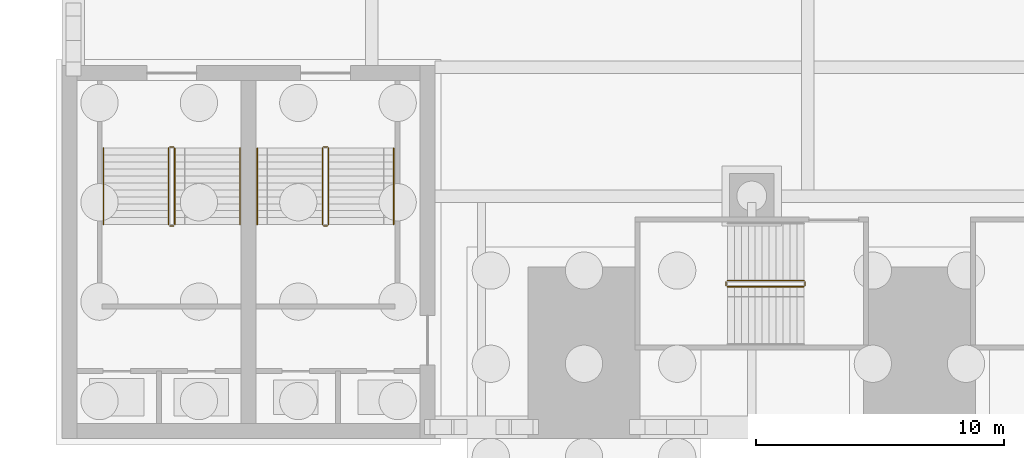
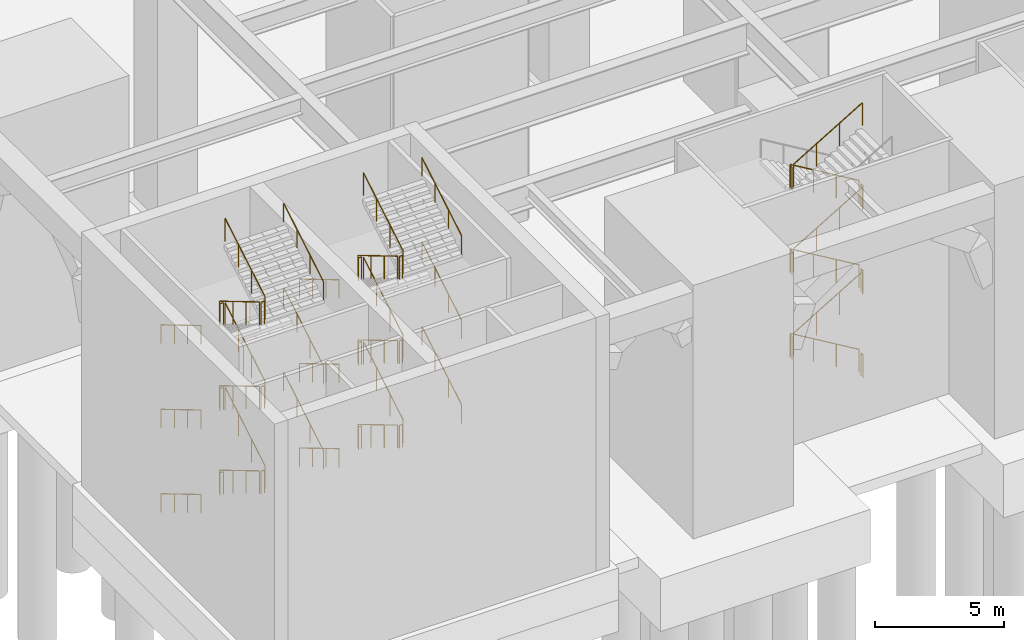
# One storey, part 27 of 34: 5 railings.
"""IFC4 building model written with IfcOpenShell, lengths in metres."""

from ifc_helpers import new_model, si_unit, direction, frame, origin, origin_2d, place, context, subcontext, project, spatial, circle, extrude, material, type_object, element, save


model = new_model("IFC4")

# Units and contexts
model_context = context("Model", 3, precision=1e-05, world=origin(), true_north=direction((0.0, 1.0)))
body_context = subcontext(model_context, "Body", "Model", "MODEL_VIEW")
ifc_project = project(units=[si_unit("LENGTHUNIT", "METRE"), si_unit("AREAUNIT", "SQUARE_METRE"), si_unit("VOLUMEUNIT", "CUBIC_METRE"), si_unit("PLANEANGLEUNIT", "RADIAN"), si_unit("MASSUNIT", "GRAM", prefix="KILO")], contexts=[model_context])

# Site, building, storey
site_placement = place(None, origin())
site = spatial("IfcSite", under=ifc_project, at=site_placement, CompositionType="ELEMENT")
building_placement = place(site_placement, origin())
building = spatial("IfcBuilding", under=site, at=building_placement, Name="Corbelhall Arena Tower", CompositionType="ELEMENT")
storey_placement = place(building_placement, origin())
storey = spatial("IfcBuildingStorey", under=building, at=storey_placement, Name="L00", CompositionType="ELEMENT", Elevation=0.0)

# Railings
ifc_material = material(Name="Stainless steel A4", Category="steel")
railing_type_1 = type_object("IfcRailingType", Name="AR-STAIR-GUARD", PredefinedType="GUARDRAIL", material=ifc_material)
railing_1_placement = place(storey_placement, frame((-18.14990234375, -32.64990234375, 0.166748046875)))
element("IfcRailing", 1, at=railing_1_placement, inside=storey, type_object=railing_type_1, Name="L00 AS13 stair guards", PredefinedType="GUARDRAIL", context=body_context, shape_type="SweptSolid", body=[
    extrude(circle(Radius=0.02392578125, at=origin_2d()), frame((0.0, 0.0, 1.076171875), z_axis=(-0.859308565015, 0.0, 0.511457515432), x_axis=(0.0, -1.0, 0.0)), (0.0, 0.0, 1.0), 3.58447265625),
    extrude(circle(Radius=0.02392578125, at=origin_2d()), frame((-3.130126953125, -0.050048828125, 2.9091796875), z_axis=(0.0, -1.0, 0.0), x_axis=(1.0, 0.0, 0.0)), (0.0, 0.0, 1.0), 0.150146484375),
    extrude(circle(Radius=0.02392578125, at=origin_2d()), frame((-3.080078125, -0.25, 3.076171875), z_axis=(0.859308565015, 0.0, 0.511457515432), x_axis=(0.0, 1.0, 0.0)), (0.0, 0.0, 1.0), 3.58447265625),
    extrude(circle(Radius=0.02392578125, at=origin_2d()), frame((0.0498046875, -0.050048828125, 4.9091796875), z_axis=(0.0, -1.0, 0.0), x_axis=(1.0, 0.0, 0.0)), (0.0, 0.0, 1.0), 0.150146484375),
    extrude(circle(Radius=0.02392578125, at=origin_2d()), frame((0.0, 0.0, 5.076171875), z_axis=(-0.859308565015, 0.0, 0.511457515432), x_axis=(0.0, -1.0, 0.0)), (0.0, 0.0, 1.0), 3.58447265625),
    extrude(circle(Radius=0.02392578125, at=origin_2d()), frame((-3.130126953125, -0.050048828125, 6.9091796875), z_axis=(0.0, -1.0, 0.0), x_axis=(1.0, 0.0, 0.0)), (0.0, 0.0, 1.0), 0.150146484375),
    extrude(circle(Radius=0.02392578125, at=origin_2d()), frame((-3.080078125, -0.25, 7.076171875), z_axis=(0.859308565015, 0.0, 0.511457515432), x_axis=(0.0, 1.0, 0.0)), (0.0, 0.0, 1.0), 3.58447265625),
    extrude(circle(Radius=0.02392578125, at=origin_2d()), frame((0.0498046875, -0.050048828125, 8.9091796875), z_axis=(0.0, -1.0, 0.0), x_axis=(1.0, 0.0, 0.0)), (0.0, 0.0, 1.0), 0.150146484375),
    extrude(circle(Radius=0.02392578125, at=origin_2d()), frame((0.0, 0.0, 9.076171875), z_axis=(-0.859308565015, 0.0, 0.511457515432), x_axis=(0.0, -1.0, 0.0)), (0.0, 0.0, 1.0), 3.58447265625),
    extrude(circle(Radius=0.02392578125, at=origin_2d()), frame((-3.130126953125, -0.050048828125, 10.9091796875), z_axis=(0.0, -1.0, 0.0), x_axis=(1.0, 0.0, 0.0)), (0.0, 0.0, 1.0), 0.150146484375),
    extrude(circle(Radius=0.02392578125, at=origin_2d()), frame((-3.080078125, -0.25, 11.076171875), z_axis=(0.859308565015, 0.0, 0.511457515432), x_axis=(0.0, 1.0, 0.0)), (0.0, 0.0, 1.0), 3.58447265625),
    extrude(circle(Radius=0.02392578125, at=origin_2d()), frame((0.0498046875, -0.050048828125, 0.9091796875), z_axis=(0.0, -1.0, 0.0), x_axis=(1.0, 0.0, 0.0)), (0.0, 0.0, 1.0), 0.150146484375),
    extrude(circle(Radius=0.02099609375, at=origin_2d()), origin(), (0.0, 0.0, 1.0), 1.052001953125),
    extrude(circle(Radius=0.02099609375, at=origin_2d()), frame((-1.026611328125, 0.0, 0.611083984375)), (0.0, 0.0, 1.0), 1.052001953125),
    extrude(circle(Radius=0.02099609375, at=origin_2d()), frame((-2.053466796875, 0.0, 1.22216796875)), (0.0, 0.0, 1.0), 1.052001953125),
    extrude(circle(Radius=0.02099609375, at=origin_2d()), frame((-3.080078125, 0.0, 1.833251953125)), (0.0, 0.0, 1.0), 1.052001953125),
    extrude(circle(Radius=0.02099609375, at=origin_2d()), frame((-3.130126953125, -0.050048828125, 1.833251953125)), (0.0, 0.0, 1.0), 1.052001953125),
    extrude(circle(Radius=0.02099609375, at=origin_2d()), frame((-3.130126953125, -0.2001953125, 1.833251953125)), (0.0, 0.0, 1.0), 1.052001953125),
    extrude(circle(Radius=0.02099609375, at=origin_2d()), frame((-3.080078125, -0.25, 2.0)), (0.0, 0.0, 1.0), 1.052001953125),
    extrude(circle(Radius=0.02099609375, at=origin_2d()), frame((-2.053466796875, -0.25, 2.611083984375)), (0.0, 0.0, 1.0), 1.052001953125),
    extrude(circle(Radius=0.02099609375, at=origin_2d()), frame((-1.026611328125, -0.25, 3.22216796875)), (0.0, 0.0, 1.0), 1.052001953125),
    extrude(circle(Radius=0.02099609375, at=origin_2d()), frame((0.0, -0.25, 3.833251953125)), (0.0, 0.0, 1.0), 1.052001953125),
    extrude(circle(Radius=0.02099609375, at=origin_2d()), frame((0.0498046875, -0.050048828125, 3.833251953125)), (0.0, 0.0, 1.0), 1.052001953125),
    extrude(circle(Radius=0.02099609375, at=origin_2d()), frame((0.0498046875, -0.2001953125, 3.833251953125)), (0.0, 0.0, 1.0), 1.052001953125),
    extrude(circle(Radius=0.02099609375, at=origin_2d()), frame((0.0, 0.0, 4.0)), (0.0, 0.0, 1.0), 1.052001953125),
    extrude(circle(Radius=0.02099609375, at=origin_2d()), frame((-1.026611328125, 0.0, 4.611083984375)), (0.0, 0.0, 1.0), 1.052001953125),
    extrude(circle(Radius=0.02099609375, at=origin_2d()), frame((-2.053466796875, 0.0, 5.22216796875)), (0.0, 0.0, 1.0), 1.052001953125),
    extrude(circle(Radius=0.02099609375, at=origin_2d()), frame((-3.080078125, 0.0, 5.833251953125)), (0.0, 0.0, 1.0), 1.052001953125),
    extrude(circle(Radius=0.02099609375, at=origin_2d()), frame((-3.130126953125, -0.050048828125, 5.833251953125)), (0.0, 0.0, 1.0), 1.052001953125),
    extrude(circle(Radius=0.02099609375, at=origin_2d()), frame((-3.130126953125, -0.2001953125, 5.833251953125)), (0.0, 0.0, 1.0), 1.052001953125),
    extrude(circle(Radius=0.02099609375, at=origin_2d()), frame((-3.080078125, -0.25, 6.0)), (0.0, 0.0, 1.0), 1.052001953125),
    extrude(circle(Radius=0.02099609375, at=origin_2d()), frame((-2.053466796875, -0.25, 6.611083984375)), (0.0, 0.0, 1.0), 1.052001953125),
    extrude(circle(Radius=0.02099609375, at=origin_2d()), frame((-1.026611328125, -0.25, 7.22216796875)), (0.0, 0.0, 1.0), 1.052001953125),
    extrude(circle(Radius=0.02099609375, at=origin_2d()), frame((0.0, -0.25, 7.833251953125)), (0.0, 0.0, 1.0), 1.052001953125),
    extrude(circle(Radius=0.02099609375, at=origin_2d()), frame((0.0498046875, -0.050048828125, 7.833251953125)), (0.0, 0.0, 1.0), 1.052001953125),
    extrude(circle(Radius=0.02099609375, at=origin_2d()), frame((0.0498046875, -0.2001953125, 7.833251953125)), (0.0, 0.0, 1.0), 1.052001953125),
    extrude(circle(Radius=0.02099609375, at=origin_2d()), frame((0.0, 0.0, 8.0)), (0.0, 0.0, 1.0), 1.052001953125),
    extrude(circle(Radius=0.02099609375, at=origin_2d()), frame((-1.026611328125, 0.0, 8.611083984375)), (0.0, 0.0, 1.0), 1.052001953125),
    extrude(circle(Radius=0.02099609375, at=origin_2d()), frame((-2.053466796875, 0.0, 9.22216796875)), (0.0, 0.0, 1.0), 1.052001953125),
    extrude(circle(Radius=0.02099609375, at=origin_2d()), frame((-3.080078125, 0.0, 9.833251953125)), (0.0, 0.0, 1.0), 1.052001953125),
    extrude(circle(Radius=0.02099609375, at=origin_2d()), frame((-3.130126953125, -0.050048828125, 9.833251953125)), (0.0, 0.0, 1.0), 1.052001953125),
    extrude(circle(Radius=0.02099609375, at=origin_2d()), frame((-3.130126953125, -0.2001953125, 9.833251953125)), (0.0, 0.0, 1.0), 1.052001953125),
    extrude(circle(Radius=0.02099609375, at=origin_2d()), frame((-3.080078125, -0.25, 10.0)), (0.0, 0.0, 1.0), 1.052001953125),
    extrude(circle(Radius=0.02099609375, at=origin_2d()), frame((-2.053466796875, -0.25, 10.611083984375)), (0.0, 0.0, 1.0), 1.052001953125),
    extrude(circle(Radius=0.02099609375, at=origin_2d()), frame((-1.026611328125, -0.25, 11.22216796875)), (0.0, 0.0, 1.0), 1.052001953125),
    extrude(circle(Radius=0.02099609375, at=origin_2d()), frame((0.0, -0.25, 11.833251953125)), (0.0, 0.0, 1.0), 1.052001953125),
    extrude(circle(Radius=0.02099609375, at=origin_2d()), frame((0.0498046875, -0.050048828125, -0.166748046875)), (0.0, 0.0, 1.0), 1.052001953125),
    extrude(circle(Radius=0.02099609375, at=origin_2d()), frame((0.0498046875, -0.2001953125, -0.166748046875)), (0.0, 0.0, 1.0), 1.052001953125),
])
railing_2_placement = place(storey_placement, frame((-37.530029296875, -27.320068359375, 0.166748046875)))
element("IfcRailing", 2, at=railing_2_placement, inside=storey, type_object=railing_type_1, Name="L00 AS7 stair guards", PredefinedType="GUARDRAIL", context=body_context, shape_type="SweptSolid", body=[
    extrude(circle(Radius=0.02392578125, at=origin_2d()), frame((0.0, 0.0, 1.076171875), z_axis=(0.0, -0.859290745958, 0.51148745235), x_axis=(1.0, 0.0, 0.0)), (0.0, 0.0, 1.0), 3.584228515625),
    extrude(circle(Radius=0.02392578125, at=origin_2d()), frame((0.050048828125, -3.1298828125, 2.9091796875), z_axis=(1.0, 0.0, 0.0), x_axis=(0.0, 1.0, 0.0)), (0.0, 0.0, 1.0), 0.14990234375),
    extrude(circle(Radius=0.02392578125, at=origin_2d()), frame((0.25, -3.079833984375, 3.076171875), z_axis=(0.0, 0.859290745958, 0.51148745235), x_axis=(-1.0, 0.0, 0.0)), (0.0, 0.0, 1.0), 3.584228515625),
    extrude(circle(Radius=0.02392578125, at=origin_2d()), frame((0.050048828125, 0.050048828125, 4.9091796875), z_axis=(1.0, 0.0, 0.0), x_axis=(0.0, 1.0, 0.0)), (0.0, 0.0, 1.0), 0.14990234375),
    extrude(circle(Radius=0.02392578125, at=origin_2d()), frame((0.0, 0.0, 5.076171875), z_axis=(0.0, -0.859290745958, 0.51148745235), x_axis=(1.0, 0.0, 0.0)), (0.0, 0.0, 1.0), 3.584228515625),
    extrude(circle(Radius=0.02392578125, at=origin_2d()), frame((0.050048828125, -3.1298828125, 6.9091796875), z_axis=(1.0, 0.0, 0.0), x_axis=(0.0, 1.0, 0.0)), (0.0, 0.0, 1.0), 0.14990234375),
    extrude(circle(Radius=0.02392578125, at=origin_2d()), frame((0.25, -3.079833984375, 7.076171875), z_axis=(0.0, 0.859290745958, 0.51148745235), x_axis=(-1.0, 0.0, 0.0)), (0.0, 0.0, 1.0), 3.584228515625),
    extrude(circle(Radius=0.02392578125, at=origin_2d()), frame((0.050048828125, 0.050048828125, 8.9091796875), z_axis=(1.0, 0.0, 0.0), x_axis=(0.0, 1.0, 0.0)), (0.0, 0.0, 1.0), 0.14990234375),
    extrude(circle(Radius=0.02392578125, at=origin_2d()), frame((0.0, 0.0, 9.076171875), z_axis=(0.0, -0.859290745958, 0.51148745235), x_axis=(1.0, 0.0, 0.0)), (0.0, 0.0, 1.0), 3.584228515625),
    extrude(circle(Radius=0.02392578125, at=origin_2d()), frame((0.050048828125, -3.1298828125, 10.9091796875), z_axis=(1.0, 0.0, 0.0), x_axis=(0.0, 1.0, 0.0)), (0.0, 0.0, 1.0), 0.14990234375),
    extrude(circle(Radius=0.02392578125, at=origin_2d()), frame((0.25, -3.079833984375, 11.076171875), z_axis=(0.0, 0.859290745958, 0.51148745235), x_axis=(-1.0, 0.0, 0.0)), (0.0, 0.0, 1.0), 3.584228515625),
    extrude(circle(Radius=0.02392578125, at=origin_2d()), frame((0.050048828125, 0.050048828125, 0.9091796875), z_axis=(1.0, 0.0, 0.0), x_axis=(0.0, 1.0, 0.0)), (0.0, 0.0, 1.0), 0.14990234375),
    extrude(circle(Radius=0.02099609375, at=origin_2d()), origin(), (0.0, 0.0, 1.0), 1.052001953125),
    extrude(circle(Radius=0.02099609375, at=origin_2d()), frame((0.0, -1.026611328125, 0.611083984375)), (0.0, 0.0, 1.0), 1.052001953125),
    extrude(circle(Radius=0.02099609375, at=origin_2d()), frame((0.0, -2.05322265625, 1.22216796875)), (0.0, 0.0, 1.0), 1.052001953125),
    extrude(circle(Radius=0.02099609375, at=origin_2d()), frame((0.0, -3.079833984375, 1.833251953125)), (0.0, 0.0, 1.0), 1.052001953125),
    extrude(circle(Radius=0.02099609375, at=origin_2d()), frame((0.050048828125, -3.1298828125, 1.833251953125)), (0.0, 0.0, 1.0), 1.052001953125),
    extrude(circle(Radius=0.02099609375, at=origin_2d()), frame((0.199951171875, -3.1298828125, 1.833251953125)), (0.0, 0.0, 1.0), 1.052001953125),
    extrude(circle(Radius=0.02099609375, at=origin_2d()), frame((0.25, -3.079833984375, 2.0)), (0.0, 0.0, 1.0), 1.052001953125),
    extrude(circle(Radius=0.02099609375, at=origin_2d()), frame((0.25, -2.05322265625, 2.611083984375)), (0.0, 0.0, 1.0), 1.052001953125),
    extrude(circle(Radius=0.02099609375, at=origin_2d()), frame((0.25, -1.026611328125, 3.22216796875)), (0.0, 0.0, 1.0), 1.052001953125),
    extrude(circle(Radius=0.02099609375, at=origin_2d()), frame((0.25, 0.0, 3.833251953125)), (0.0, 0.0, 1.0), 1.052001953125),
    extrude(circle(Radius=0.02099609375, at=origin_2d()), frame((0.050048828125, 0.050048828125, 3.833251953125)), (0.0, 0.0, 1.0), 1.052001953125),
    extrude(circle(Radius=0.02099609375, at=origin_2d()), frame((0.199951171875, 0.050048828125, 3.833251953125)), (0.0, 0.0, 1.0), 1.052001953125),
    extrude(circle(Radius=0.02099609375, at=origin_2d()), frame((0.0, 0.0, 4.0)), (0.0, 0.0, 1.0), 1.052001953125),
    extrude(circle(Radius=0.02099609375, at=origin_2d()), frame((0.0, -1.026611328125, 4.611083984375)), (0.0, 0.0, 1.0), 1.052001953125),
    extrude(circle(Radius=0.02099609375, at=origin_2d()), frame((0.0, -2.05322265625, 5.22216796875)), (0.0, 0.0, 1.0), 1.052001953125),
    extrude(circle(Radius=0.02099609375, at=origin_2d()), frame((0.0, -3.079833984375, 5.833251953125)), (0.0, 0.0, 1.0), 1.052001953125),
    extrude(circle(Radius=0.02099609375, at=origin_2d()), frame((0.050048828125, -3.1298828125, 5.833251953125)), (0.0, 0.0, 1.0), 1.052001953125),
    extrude(circle(Radius=0.02099609375, at=origin_2d()), frame((0.199951171875, -3.1298828125, 5.833251953125)), (0.0, 0.0, 1.0), 1.052001953125),
    extrude(circle(Radius=0.02099609375, at=origin_2d()), frame((0.25, -3.079833984375, 6.0)), (0.0, 0.0, 1.0), 1.052001953125),
    extrude(circle(Radius=0.02099609375, at=origin_2d()), frame((0.25, -2.05322265625, 6.611083984375)), (0.0, 0.0, 1.0), 1.052001953125),
    extrude(circle(Radius=0.02099609375, at=origin_2d()), frame((0.25, -1.026611328125, 7.22216796875)), (0.0, 0.0, 1.0), 1.052001953125),
    extrude(circle(Radius=0.02099609375, at=origin_2d()), frame((0.25, 0.0, 7.833251953125)), (0.0, 0.0, 1.0), 1.052001953125),
    extrude(circle(Radius=0.02099609375, at=origin_2d()), frame((0.050048828125, 0.050048828125, 7.833251953125)), (0.0, 0.0, 1.0), 1.052001953125),
    extrude(circle(Radius=0.02099609375, at=origin_2d()), frame((0.199951171875, 0.050048828125, 7.833251953125)), (0.0, 0.0, 1.0), 1.052001953125),
    extrude(circle(Radius=0.02099609375, at=origin_2d()), frame((0.0, 0.0, 8.0)), (0.0, 0.0, 1.0), 1.052001953125),
    extrude(circle(Radius=0.02099609375, at=origin_2d()), frame((0.0, -1.026611328125, 8.611083984375)), (0.0, 0.0, 1.0), 1.052001953125),
    extrude(circle(Radius=0.02099609375, at=origin_2d()), frame((0.0, -2.05322265625, 9.22216796875)), (0.0, 0.0, 1.0), 1.052001953125),
    extrude(circle(Radius=0.02099609375, at=origin_2d()), frame((0.0, -3.079833984375, 9.833251953125)), (0.0, 0.0, 1.0), 1.052001953125),
    extrude(circle(Radius=0.02099609375, at=origin_2d()), frame((0.050048828125, -3.1298828125, 9.833251953125)), (0.0, 0.0, 1.0), 1.052001953125),
    extrude(circle(Radius=0.02099609375, at=origin_2d()), frame((0.199951171875, -3.1298828125, 9.833251953125)), (0.0, 0.0, 1.0), 1.052001953125),
    extrude(circle(Radius=0.02099609375, at=origin_2d()), frame((0.25, -3.079833984375, 10.0)), (0.0, 0.0, 1.0), 1.052001953125),
    extrude(circle(Radius=0.02099609375, at=origin_2d()), frame((0.25, -2.05322265625, 10.611083984375)), (0.0, 0.0, 1.0), 1.052001953125),
    extrude(circle(Radius=0.02099609375, at=origin_2d()), frame((0.25, -1.026611328125, 11.22216796875)), (0.0, 0.0, 1.0), 1.052001953125),
    extrude(circle(Radius=0.02099609375, at=origin_2d()), frame((0.25, 0.0, 11.833251953125)), (0.0, 0.0, 1.0), 1.052001953125),
    extrude(circle(Radius=0.02099609375, at=origin_2d()), frame((0.050048828125, 0.050048828125, -0.166748046875)), (0.0, 0.0, 1.0), 1.052001953125),
    extrude(circle(Radius=0.02099609375, at=origin_2d()), frame((0.199951171875, 0.050048828125, -0.166748046875)), (0.0, 0.0, 1.0), 1.052001953125),
])
railing_3_placement = place(storey_placement, frame((-43.719970703125, -27.320068359375, 0.166748046875)))
element("IfcRailing", 3, at=railing_3_placement, inside=storey, type_object=railing_type_1, Name="L00 AS8 stair guards", PredefinedType="GUARDRAIL", context=body_context, shape_type="SweptSolid", body=[
    extrude(circle(Radius=0.02392578125, at=origin_2d()), frame((0.0, 0.0, 1.076171875), z_axis=(0.0, -0.859290745958, 0.51148745235), x_axis=(1.0, 0.0, 0.0)), (0.0, 0.0, 1.0), 3.584228515625),
    extrude(circle(Radius=0.02392578125, at=origin_2d()), frame((0.050048828125, -3.1298828125, 2.9091796875), z_axis=(1.0, 0.0, 0.0), x_axis=(0.0, 1.0, 0.0)), (0.0, 0.0, 1.0), 0.14990234375),
    extrude(circle(Radius=0.02392578125, at=origin_2d()), frame((0.25, -3.079833984375, 3.076171875), z_axis=(0.0, 0.859290745958, 0.51148745235), x_axis=(-1.0, 0.0, 0.0)), (0.0, 0.0, 1.0), 3.584228515625),
    extrude(circle(Radius=0.02392578125, at=origin_2d()), frame((0.050048828125, 0.050048828125, 4.9091796875), z_axis=(1.0, 0.0, 0.0), x_axis=(0.0, 1.0, 0.0)), (0.0, 0.0, 1.0), 0.14990234375),
    extrude(circle(Radius=0.02392578125, at=origin_2d()), frame((0.0, 0.0, 5.076171875), z_axis=(0.0, -0.859290745958, 0.51148745235), x_axis=(1.0, 0.0, 0.0)), (0.0, 0.0, 1.0), 3.584228515625),
    extrude(circle(Radius=0.02392578125, at=origin_2d()), frame((0.050048828125, -3.1298828125, 6.9091796875), z_axis=(1.0, 0.0, 0.0), x_axis=(0.0, 1.0, 0.0)), (0.0, 0.0, 1.0), 0.14990234375),
    extrude(circle(Radius=0.02392578125, at=origin_2d()), frame((0.25, -3.079833984375, 7.076171875), z_axis=(0.0, 0.859290745958, 0.51148745235), x_axis=(-1.0, 0.0, 0.0)), (0.0, 0.0, 1.0), 3.584228515625),
    extrude(circle(Radius=0.02392578125, at=origin_2d()), frame((0.050048828125, 0.050048828125, 8.9091796875), z_axis=(1.0, 0.0, 0.0), x_axis=(0.0, 1.0, 0.0)), (0.0, 0.0, 1.0), 0.14990234375),
    extrude(circle(Radius=0.02392578125, at=origin_2d()), frame((0.0, 0.0, 9.076171875), z_axis=(0.0, -0.859290745958, 0.51148745235), x_axis=(1.0, 0.0, 0.0)), (0.0, 0.0, 1.0), 3.584228515625),
    extrude(circle(Radius=0.02392578125, at=origin_2d()), frame((0.050048828125, -3.1298828125, 10.9091796875), z_axis=(1.0, 0.0, 0.0), x_axis=(0.0, 1.0, 0.0)), (0.0, 0.0, 1.0), 0.14990234375),
    extrude(circle(Radius=0.02392578125, at=origin_2d()), frame((0.25, -3.079833984375, 11.076171875), z_axis=(0.0, 0.859290745958, 0.51148745235), x_axis=(-1.0, 0.0, 0.0)), (0.0, 0.0, 1.0), 3.584228515625),
    extrude(circle(Radius=0.02392578125, at=origin_2d()), frame((0.050048828125, 0.050048828125, 0.9091796875), z_axis=(1.0, 0.0, 0.0), x_axis=(0.0, 1.0, 0.0)), (0.0, 0.0, 1.0), 0.14990234375),
    extrude(circle(Radius=0.02099609375, at=origin_2d()), origin(), (0.0, 0.0, 1.0), 1.052001953125),
    extrude(circle(Radius=0.02099609375, at=origin_2d()), frame((0.0, -1.026611328125, 0.611083984375)), (0.0, 0.0, 1.0), 1.052001953125),
    extrude(circle(Radius=0.02099609375, at=origin_2d()), frame((0.0, -2.05322265625, 1.22216796875)), (0.0, 0.0, 1.0), 1.052001953125),
    extrude(circle(Radius=0.02099609375, at=origin_2d()), frame((0.0, -3.079833984375, 1.833251953125)), (0.0, 0.0, 1.0), 1.052001953125),
    extrude(circle(Radius=0.02099609375, at=origin_2d()), frame((0.050048828125, -3.1298828125, 1.833251953125)), (0.0, 0.0, 1.0), 1.052001953125),
    extrude(circle(Radius=0.02099609375, at=origin_2d()), frame((0.199951171875, -3.1298828125, 1.833251953125)), (0.0, 0.0, 1.0), 1.052001953125),
    extrude(circle(Radius=0.02099609375, at=origin_2d()), frame((0.25, -3.079833984375, 2.0)), (0.0, 0.0, 1.0), 1.052001953125),
    extrude(circle(Radius=0.02099609375, at=origin_2d()), frame((0.25, -2.05322265625, 2.611083984375)), (0.0, 0.0, 1.0), 1.052001953125),
    extrude(circle(Radius=0.02099609375, at=origin_2d()), frame((0.25, -1.026611328125, 3.22216796875)), (0.0, 0.0, 1.0), 1.052001953125),
    extrude(circle(Radius=0.02099609375, at=origin_2d()), frame((0.25, 0.0, 3.833251953125)), (0.0, 0.0, 1.0), 1.052001953125),
    extrude(circle(Radius=0.02099609375, at=origin_2d()), frame((0.050048828125, 0.050048828125, 3.833251953125)), (0.0, 0.0, 1.0), 1.052001953125),
    extrude(circle(Radius=0.02099609375, at=origin_2d()), frame((0.199951171875, 0.050048828125, 3.833251953125)), (0.0, 0.0, 1.0), 1.052001953125),
    extrude(circle(Radius=0.02099609375, at=origin_2d()), frame((0.0, 0.0, 4.0)), (0.0, 0.0, 1.0), 1.052001953125),
    extrude(circle(Radius=0.02099609375, at=origin_2d()), frame((0.0, -1.026611328125, 4.611083984375)), (0.0, 0.0, 1.0), 1.052001953125),
    extrude(circle(Radius=0.02099609375, at=origin_2d()), frame((0.0, -2.05322265625, 5.22216796875)), (0.0, 0.0, 1.0), 1.052001953125),
    extrude(circle(Radius=0.02099609375, at=origin_2d()), frame((0.0, -3.079833984375, 5.833251953125)), (0.0, 0.0, 1.0), 1.052001953125),
    extrude(circle(Radius=0.02099609375, at=origin_2d()), frame((0.050048828125, -3.1298828125, 5.833251953125)), (0.0, 0.0, 1.0), 1.052001953125),
    extrude(circle(Radius=0.02099609375, at=origin_2d()), frame((0.199951171875, -3.1298828125, 5.833251953125)), (0.0, 0.0, 1.0), 1.052001953125),
    extrude(circle(Radius=0.02099609375, at=origin_2d()), frame((0.25, -3.079833984375, 6.0)), (0.0, 0.0, 1.0), 1.052001953125),
    extrude(circle(Radius=0.02099609375, at=origin_2d()), frame((0.25, -2.05322265625, 6.611083984375)), (0.0, 0.0, 1.0), 1.052001953125),
    extrude(circle(Radius=0.02099609375, at=origin_2d()), frame((0.25, -1.026611328125, 7.22216796875)), (0.0, 0.0, 1.0), 1.052001953125),
    extrude(circle(Radius=0.02099609375, at=origin_2d()), frame((0.25, 0.0, 7.833251953125)), (0.0, 0.0, 1.0), 1.052001953125),
    extrude(circle(Radius=0.02099609375, at=origin_2d()), frame((0.050048828125, 0.050048828125, 7.833251953125)), (0.0, 0.0, 1.0), 1.052001953125),
    extrude(circle(Radius=0.02099609375, at=origin_2d()), frame((0.199951171875, 0.050048828125, 7.833251953125)), (0.0, 0.0, 1.0), 1.052001953125),
    extrude(circle(Radius=0.02099609375, at=origin_2d()), frame((0.0, 0.0, 8.0)), (0.0, 0.0, 1.0), 1.052001953125),
    extrude(circle(Radius=0.02099609375, at=origin_2d()), frame((0.0, -1.026611328125, 8.611083984375)), (0.0, 0.0, 1.0), 1.052001953125),
    extrude(circle(Radius=0.02099609375, at=origin_2d()), frame((0.0, -2.05322265625, 9.22216796875)), (0.0, 0.0, 1.0), 1.052001953125),
    extrude(circle(Radius=0.02099609375, at=origin_2d()), frame((0.0, -3.079833984375, 9.833251953125)), (0.0, 0.0, 1.0), 1.052001953125),
    extrude(circle(Radius=0.02099609375, at=origin_2d()), frame((0.050048828125, -3.1298828125, 9.833251953125)), (0.0, 0.0, 1.0), 1.052001953125),
    extrude(circle(Radius=0.02099609375, at=origin_2d()), frame((0.199951171875, -3.1298828125, 9.833251953125)), (0.0, 0.0, 1.0), 1.052001953125),
    extrude(circle(Radius=0.02099609375, at=origin_2d()), frame((0.25, -3.079833984375, 10.0)), (0.0, 0.0, 1.0), 1.052001953125),
    extrude(circle(Radius=0.02099609375, at=origin_2d()), frame((0.25, -2.05322265625, 10.611083984375)), (0.0, 0.0, 1.0), 1.052001953125),
    extrude(circle(Radius=0.02099609375, at=origin_2d()), frame((0.25, -1.026611328125, 11.22216796875)), (0.0, 0.0, 1.0), 1.052001953125),
    extrude(circle(Radius=0.02099609375, at=origin_2d()), frame((0.25, 0.0, 11.833251953125)), (0.0, 0.0, 1.0), 1.052001953125),
    extrude(circle(Radius=0.02099609375, at=origin_2d()), frame((0.050048828125, 0.050048828125, -0.166748046875)), (0.0, 0.0, 1.0), 1.052001953125),
    extrude(circle(Radius=0.02099609375, at=origin_2d()), frame((0.199951171875, 0.050048828125, -0.166748046875)), (0.0, 0.0, 1.0), 1.052001953125),
])
railing_type_2 = type_object("IfcRailingType", Name="AR-STAIR-HANDRAIL", PredefinedType="HANDRAIL", material=ifc_material)
railing_4_placement = place(storey_placement, frame((-40.14990234375, -27.320068359375, 0.166748046875)))
element("IfcRailing", 4, at=railing_4_placement, inside=storey, type_object=railing_type_2, Name="L00 AS7 stair handrails", PredefinedType="HANDRAIL", context=body_context, shape_type="SweptSolid", body=[
    extrude(circle(Radius=0.02392578125, at=origin_2d()), frame((0.0, 0.0, 0.8759765625), z_axis=(0.0, -0.859290745958, 0.51148745235), x_axis=(1.0, 0.0, 0.0)), (0.0, 0.0, 1.0), 3.584228515625),
    extrude(circle(Radius=0.02392578125, at=origin_2d()), frame((5.489990234375, -3.079833984375, 2.8759765625), z_axis=(0.0, 0.859290745958, 0.51148745235), x_axis=(-1.0, 0.0, 0.0)), (0.0, 0.0, 1.0), 3.584228515625),
    extrude(circle(Radius=0.02392578125, at=origin_2d()), frame((0.0, 0.0, 4.8759765625), z_axis=(0.0, -0.859290745958, 0.51148745235), x_axis=(1.0, 0.0, 0.0)), (0.0, 0.0, 1.0), 3.584228515625),
    extrude(circle(Radius=0.02392578125, at=origin_2d()), frame((5.489990234375, -3.079833984375, 6.8759765625), z_axis=(0.0, 0.859290745958, 0.51148745235), x_axis=(-1.0, 0.0, 0.0)), (0.0, 0.0, 1.0), 3.584228515625),
    extrude(circle(Radius=0.02392578125, at=origin_2d()), frame((0.0, 0.0, 8.8759765625), z_axis=(0.0, -0.859290745958, 0.51148745235), x_axis=(1.0, 0.0, 0.0)), (0.0, 0.0, 1.0), 3.584228515625),
    extrude(circle(Radius=0.02392578125, at=origin_2d()), frame((5.489990234375, -3.079833984375, 10.8759765625), z_axis=(0.0, 0.859290745958, 0.51148745235), x_axis=(-1.0, 0.0, 0.0)), (0.0, 0.0, 1.0), 3.584228515625),
    extrude(circle(Radius=0.02099609375, at=origin_2d()), origin(), (0.0, 0.0, 1.0), 0.851806640625),
    extrude(circle(Radius=0.02099609375, at=origin_2d()), frame((0.0, -1.026611328125, 0.611083984375)), (0.0, 0.0, 1.0), 0.851806640625),
    extrude(circle(Radius=0.02099609375, at=origin_2d()), frame((0.0, -2.05322265625, 1.22216796875)), (0.0, 0.0, 1.0), 0.851806640625),
    extrude(circle(Radius=0.02099609375, at=origin_2d()), frame((0.0, -3.079833984375, 1.833251953125)), (0.0, 0.0, 1.0), 0.851806640625),
    extrude(circle(Radius=0.02099609375, at=origin_2d()), frame((5.489990234375, -3.079833984375, 2.0)), (0.0, 0.0, 1.0), 0.851806640625),
    extrude(circle(Radius=0.02099609375, at=origin_2d()), frame((5.489990234375, -2.05322265625, 2.611083984375)), (0.0, 0.0, 1.0), 0.851806640625),
    extrude(circle(Radius=0.02099609375, at=origin_2d()), frame((5.489990234375, -1.026611328125, 3.22216796875)), (0.0, 0.0, 1.0), 0.851806640625),
    extrude(circle(Radius=0.02099609375, at=origin_2d()), frame((5.489990234375, 0.0, 3.833251953125)), (0.0, 0.0, 1.0), 0.851806640625),
    extrude(circle(Radius=0.02099609375, at=origin_2d()), frame((0.0, 0.0, 4.0)), (0.0, 0.0, 1.0), 0.851806640625),
    extrude(circle(Radius=0.02099609375, at=origin_2d()), frame((0.0, -1.026611328125, 4.611083984375)), (0.0, 0.0, 1.0), 0.851806640625),
    extrude(circle(Radius=0.02099609375, at=origin_2d()), frame((0.0, -2.05322265625, 5.22216796875)), (0.0, 0.0, 1.0), 0.851806640625),
    extrude(circle(Radius=0.02099609375, at=origin_2d()), frame((0.0, -3.079833984375, 5.833251953125)), (0.0, 0.0, 1.0), 0.851806640625),
    extrude(circle(Radius=0.02099609375, at=origin_2d()), frame((5.489990234375, -3.079833984375, 6.0)), (0.0, 0.0, 1.0), 0.851806640625),
    extrude(circle(Radius=0.02099609375, at=origin_2d()), frame((5.489990234375, -2.05322265625, 6.611083984375)), (0.0, 0.0, 1.0), 0.851806640625),
    extrude(circle(Radius=0.02099609375, at=origin_2d()), frame((5.489990234375, -1.026611328125, 7.22216796875)), (0.0, 0.0, 1.0), 0.851806640625),
    extrude(circle(Radius=0.02099609375, at=origin_2d()), frame((5.489990234375, 0.0, 7.833251953125)), (0.0, 0.0, 1.0), 0.851806640625),
    extrude(circle(Radius=0.02099609375, at=origin_2d()), frame((0.0, 0.0, 8.0)), (0.0, 0.0, 1.0), 0.851806640625),
    extrude(circle(Radius=0.02099609375, at=origin_2d()), frame((0.0, -1.026611328125, 8.611083984375)), (0.0, 0.0, 1.0), 0.851806640625),
    extrude(circle(Radius=0.02099609375, at=origin_2d()), frame((0.0, -2.05322265625, 9.22216796875)), (0.0, 0.0, 1.0), 0.851806640625),
    extrude(circle(Radius=0.02099609375, at=origin_2d()), frame((0.0, -3.079833984375, 9.833251953125)), (0.0, 0.0, 1.0), 0.851806640625),
    extrude(circle(Radius=0.02099609375, at=origin_2d()), frame((5.489990234375, -3.079833984375, 10.0)), (0.0, 0.0, 1.0), 0.851806640625),
    extrude(circle(Radius=0.02099609375, at=origin_2d()), frame((5.489990234375, -2.05322265625, 10.611083984375)), (0.0, 0.0, 1.0), 0.851806640625),
    extrude(circle(Radius=0.02099609375, at=origin_2d()), frame((5.489990234375, -1.026611328125, 11.22216796875)), (0.0, 0.0, 1.0), 0.851806640625),
    extrude(circle(Radius=0.02099609375, at=origin_2d()), frame((5.489990234375, 0.0, 11.833251953125)), (0.0, 0.0, 1.0), 0.851806640625),
])
railing_5_placement = place(storey_placement, frame((-46.340087890625, -27.320068359375, 0.166748046875)))
element("IfcRailing", 5, at=railing_5_placement, inside=storey, type_object=railing_type_2, Name="L00 AS8 stair handrails", PredefinedType="HANDRAIL", context=body_context, shape_type="SweptSolid", body=[
    extrude(circle(Radius=0.02392578125, at=origin_2d()), frame((0.0, 0.0, 0.8759765625), z_axis=(0.0, -0.859290745958, 0.51148745235), x_axis=(1.0, 0.0, 0.0)), (0.0, 0.0, 1.0), 3.584228515625),
    extrude(circle(Radius=0.02392578125, at=origin_2d()), frame((5.489990234375, -3.079833984375, 2.8759765625), z_axis=(0.0, 0.859290745958, 0.51148745235), x_axis=(-1.0, 0.0, 0.0)), (0.0, 0.0, 1.0), 3.584228515625),
    extrude(circle(Radius=0.02392578125, at=origin_2d()), frame((0.0, 0.0, 4.8759765625), z_axis=(0.0, -0.859290745958, 0.51148745235), x_axis=(1.0, 0.0, 0.0)), (0.0, 0.0, 1.0), 3.584228515625),
    extrude(circle(Radius=0.02392578125, at=origin_2d()), frame((5.489990234375, -3.079833984375, 6.8759765625), z_axis=(0.0, 0.859290745958, 0.51148745235), x_axis=(-1.0, 0.0, 0.0)), (0.0, 0.0, 1.0), 3.584228515625),
    extrude(circle(Radius=0.02392578125, at=origin_2d()), frame((0.0, 0.0, 8.8759765625), z_axis=(0.0, -0.859290745958, 0.51148745235), x_axis=(1.0, 0.0, 0.0)), (0.0, 0.0, 1.0), 3.584228515625),
    extrude(circle(Radius=0.02392578125, at=origin_2d()), frame((5.489990234375, -3.079833984375, 10.8759765625), z_axis=(0.0, 0.859290745958, 0.51148745235), x_axis=(-1.0, 0.0, 0.0)), (0.0, 0.0, 1.0), 3.584228515625),
    extrude(circle(Radius=0.02099609375, at=origin_2d()), origin(), (0.0, 0.0, 1.0), 0.851806640625),
    extrude(circle(Radius=0.02099609375, at=origin_2d()), frame((0.0, -1.026611328125, 0.611083984375)), (0.0, 0.0, 1.0), 0.851806640625),
    extrude(circle(Radius=0.02099609375, at=origin_2d()), frame((0.0, -2.05322265625, 1.22216796875)), (0.0, 0.0, 1.0), 0.851806640625),
    extrude(circle(Radius=0.02099609375, at=origin_2d()), frame((0.0, -3.079833984375, 1.833251953125)), (0.0, 0.0, 1.0), 0.851806640625),
    extrude(circle(Radius=0.02099609375, at=origin_2d()), frame((5.489990234375, -3.079833984375, 2.0)), (0.0, 0.0, 1.0), 0.851806640625),
    extrude(circle(Radius=0.02099609375, at=origin_2d()), frame((5.489990234375, -2.05322265625, 2.611083984375)), (0.0, 0.0, 1.0), 0.851806640625),
    extrude(circle(Radius=0.02099609375, at=origin_2d()), frame((5.489990234375, -1.026611328125, 3.22216796875)), (0.0, 0.0, 1.0), 0.851806640625),
    extrude(circle(Radius=0.02099609375, at=origin_2d()), frame((5.489990234375, 0.0, 3.833251953125)), (0.0, 0.0, 1.0), 0.851806640625),
    extrude(circle(Radius=0.02099609375, at=origin_2d()), frame((0.0, 0.0, 4.0)), (0.0, 0.0, 1.0), 0.851806640625),
    extrude(circle(Radius=0.02099609375, at=origin_2d()), frame((0.0, -1.026611328125, 4.611083984375)), (0.0, 0.0, 1.0), 0.851806640625),
    extrude(circle(Radius=0.02099609375, at=origin_2d()), frame((0.0, -2.05322265625, 5.22216796875)), (0.0, 0.0, 1.0), 0.851806640625),
    extrude(circle(Radius=0.02099609375, at=origin_2d()), frame((0.0, -3.079833984375, 5.833251953125)), (0.0, 0.0, 1.0), 0.851806640625),
    extrude(circle(Radius=0.02099609375, at=origin_2d()), frame((5.489990234375, -3.079833984375, 6.0)), (0.0, 0.0, 1.0), 0.851806640625),
    extrude(circle(Radius=0.02099609375, at=origin_2d()), frame((5.489990234375, -2.05322265625, 6.611083984375)), (0.0, 0.0, 1.0), 0.851806640625),
    extrude(circle(Radius=0.02099609375, at=origin_2d()), frame((5.489990234375, -1.026611328125, 7.22216796875)), (0.0, 0.0, 1.0), 0.851806640625),
    extrude(circle(Radius=0.02099609375, at=origin_2d()), frame((5.489990234375, 0.0, 7.833251953125)), (0.0, 0.0, 1.0), 0.851806640625),
    extrude(circle(Radius=0.02099609375, at=origin_2d()), frame((0.0, 0.0, 8.0)), (0.0, 0.0, 1.0), 0.851806640625),
    extrude(circle(Radius=0.02099609375, at=origin_2d()), frame((0.0, -1.026611328125, 8.611083984375)), (0.0, 0.0, 1.0), 0.851806640625),
    extrude(circle(Radius=0.02099609375, at=origin_2d()), frame((0.0, -2.05322265625, 9.22216796875)), (0.0, 0.0, 1.0), 0.851806640625),
    extrude(circle(Radius=0.02099609375, at=origin_2d()), frame((0.0, -3.079833984375, 9.833251953125)), (0.0, 0.0, 1.0), 0.851806640625),
    extrude(circle(Radius=0.02099609375, at=origin_2d()), frame((5.489990234375, -3.079833984375, 10.0)), (0.0, 0.0, 1.0), 0.851806640625),
    extrude(circle(Radius=0.02099609375, at=origin_2d()), frame((5.489990234375, -2.05322265625, 10.611083984375)), (0.0, 0.0, 1.0), 0.851806640625),
    extrude(circle(Radius=0.02099609375, at=origin_2d()), frame((5.489990234375, -1.026611328125, 11.22216796875)), (0.0, 0.0, 1.0), 0.851806640625),
    extrude(circle(Radius=0.02099609375, at=origin_2d()), frame((5.489990234375, 0.0, 11.833251953125)), (0.0, 0.0, 1.0), 0.851806640625),
])

save(model, "model.ifc")
